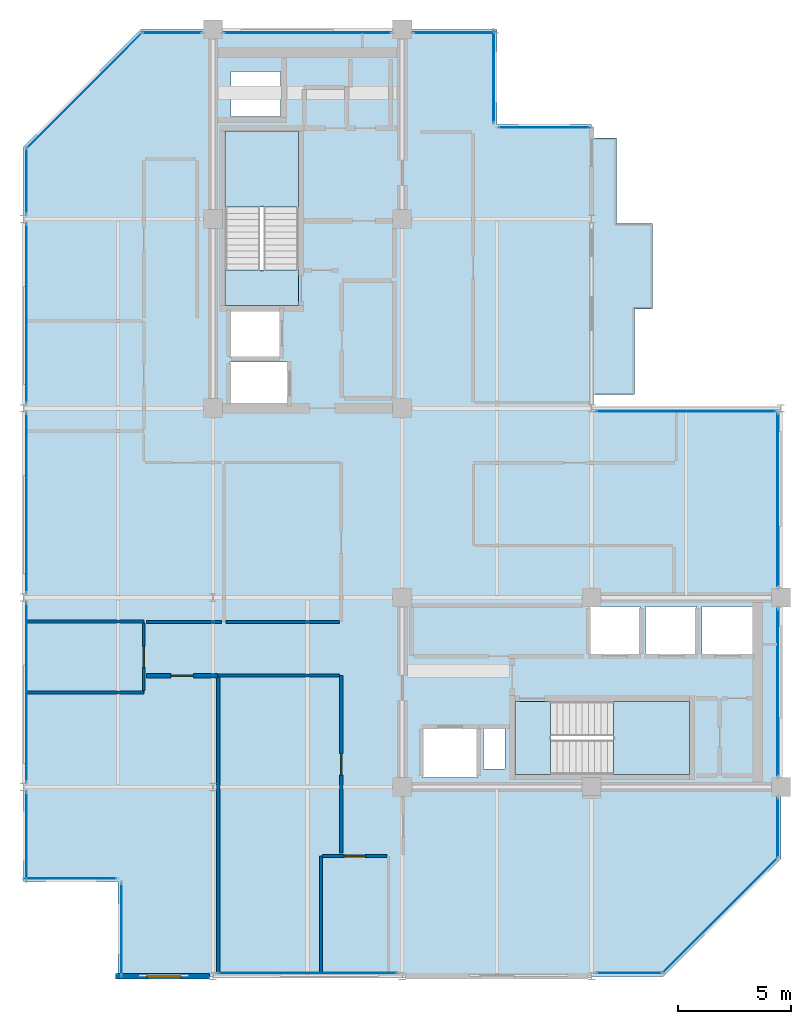
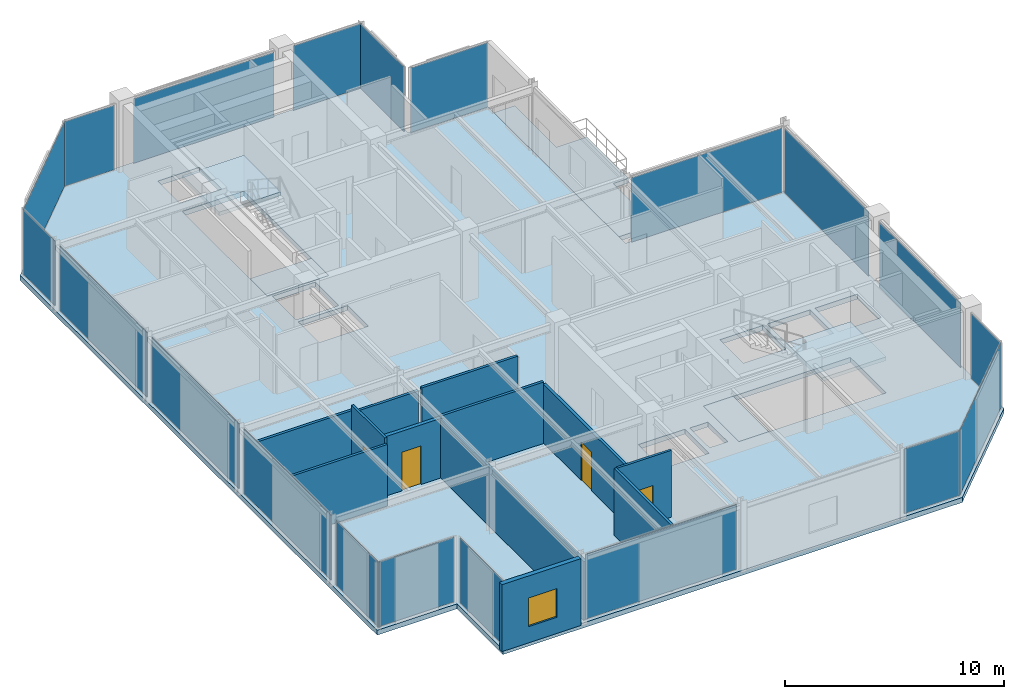
# One storey, part 19 of 24: 20 plates, 12 walls, 6 slabs, 4 doors, 1 window, 5 openings, 22 elements without a shape of their own.
"""IFC4 building model written with IfcOpenShell, lengths in metres."""

from ifc_helpers import new_model, si_unit, direction, frame, frame_2d, origin, origin_2d, place, context, subcontext, project, spatial, polyline, rectangle, outline, extrude, material, layer, layer_set, type_object, element, fill, aggregate, save


model = new_model("IFC4")

# Units and contexts
model_context = context("Model", 3, precision=1e-05, world=origin(), true_north=direction((0.0, 1.0)))
body_context = subcontext(model_context, "Body", "Model", "MODEL_VIEW")
ifc_project = project(units=[si_unit("LENGTHUNIT", "METRE"), si_unit("AREAUNIT", "SQUARE_METRE"), si_unit("VOLUMEUNIT", "CUBIC_METRE"), si_unit("PLANEANGLEUNIT", "RADIAN"), si_unit("MASSUNIT", "GRAM", prefix="KILO")], contexts=[model_context])

# Site, building, storey
site_placement = place(None, origin())
site = spatial("IfcSite", under=ifc_project, at=site_placement, CompositionType="ELEMENT")
building_placement = place(site_placement, origin())
building = spatial("IfcBuilding", under=site, at=building_placement, Name="Nerrivon Quay Data Exchange", CompositionType="ELEMENT")
storey_placement = place(building_placement, frame((0.0, 0.0, 306.199951171875)))
storey = spatial("IfcBuildingStorey", under=building, at=storey_placement, Name="L73", CompositionType="ELEMENT", Elevation=306.199951171875)

# Curtain wall, plate
ifc_material_1 = material(Name="Anodised aluminium 6063-T6", Category="aluminium")
ifc_layer_1 = layer(ifc_material_1, 0.195068359375)
ifc_layer_set_1 = layer_set([ifc_layer_1], Name="Anodised aluminium 6063-T6")
curtain_wall_type = type_object("IfcCurtainWallType", Name="CW-SYS-06", PredefinedType="NOTDEFINED", material=ifc_layer_set_1)
curtain_wall_1_placement = place(storey_placement, origin())
curtain_wall_1 = element("IfcCurtainWall", 1, at=curtain_wall_1_placement, inside=storey, type_object=curtain_wall_type, Name="L73 Unitised Curtain Wall 1", PredefinedType="NOTDEFINED")
ifc_material_2 = material(Name="Double-glazed low-E solar control glass", Category="glass")
ifc_layer_2 = layer(ifc_material_2, 0.028076171875)
ifc_layer_set_2 = layer_set([ifc_layer_2], Name="Double-glazed low-E solar control glass")
plate_type = type_object("IfcPlateType", Name="CWP-GLZ-28", PredefinedType="CURTAIN_PANEL", material=ifc_layer_set_2)
plate_1_placement = place(storey_placement, frame((30.90087890625, 2.698974609375, 0.06494140625), z_axis=(0.0, 0.0, 1.0), x_axis=(-0.707106781187, -0.707106781187, 0.0)))
plate_1 = element("IfcPlate", 2, at=plate_1_placement, type_object=plate_type, Name="CW06 panel 1.1", PredefinedType="CURTAIN_PANEL", context=body_context, shape_type="SweptSolid", body=[
    extrude(rectangle(XDim=7.203857421875, YDim=0.028076171875, at=origin_2d()), origin(), (0.0, 0.0, 1.0), 3.594970703125),
])
aggregate(curtain_wall_1, [plate_1])

curtain_wall_2_placement = place(storey_placement, origin())
curtain_wall_2 = element("IfcCurtainWall", 3, at=curtain_wall_2_placement, inside=storey, type_object=curtain_wall_type, Name="L73 Unitised Curtain Wall 2", PredefinedType="NOTDEFINED")
plate_2_placement = place(storey_placement, frame((26.877685546875, 0.139892578125, 0.06494140625), z_axis=(0.0, 0.0, 1.0), x_axis=(-1.0, 0.0, 0.0)))
plate_2 = element("IfcPlate", 4, at=plate_2_placement, type_object=plate_type, Name="CW06 panel 1.1", PredefinedType="CURTAIN_PANEL", context=body_context, shape_type="SweptSolid", body=[
    extrude(rectangle(XDim=2.89453125, YDim=0.028076171875, at=origin_2d()), origin(), (0.0, 0.0, 1.0), 3.594970703125),
])
aggregate(curtain_wall_2, [plate_2])

curtain_wall_3_placement = place(storey_placement, origin())
curtain_wall_3 = element("IfcCurtainWall", 5, at=curtain_wall_3_placement, inside=storey, type_object=curtain_wall_type, Name="L73 Unitised Curtain Wall 4", PredefinedType="NOTDEFINED")
plate_3_placement = place(storey_placement, frame((12.60009765625, 0.139892578125, 0.06494140625), z_axis=(0.0, 0.0, 1.0), x_axis=(-1.0, 0.0, 0.0)))
plate_3 = element("IfcPlate", 6, at=plate_3_placement, type_object=plate_type, Name="CW06 panel 1.1", PredefinedType="CURTAIN_PANEL", context=body_context, shape_type="SweptSolid", body=[
    extrude(rectangle(XDim=7.93896484375, YDim=0.028076171875, at=origin_2d()), origin(), (0.0, 0.0, 1.0), 3.594970703125),
])
aggregate(curtain_wall_3, [plate_3])

curtain_wall_4_placement = place(storey_placement, origin())
curtain_wall_4 = element("IfcCurtainWall", 7, at=curtain_wall_4_placement, inside=storey, type_object=curtain_wall_type, Name="L73 Unitised Curtain Wall 6", PredefinedType="NOTDEFINED")
plate_4_placement = place(storey_placement, frame((4.340087890625, 2.10009765625, 0.06494140625), z_axis=(0.0, 0.0, 1.0), x_axis=(0.0, 1.0, 0.0)))
plate_4 = element("IfcPlate", 8, at=plate_4_placement, type_object=plate_type, Name="CW06 panel 1.1", PredefinedType="CURTAIN_PANEL", context=body_context, shape_type="SweptSolid", body=[
    extrude(rectangle(XDim=4.050048828125, YDim=0.028076171875, at=origin_2d()), origin(), (0.0, 0.0, 1.0), 3.594970703125),
])
aggregate(curtain_wall_4, [plate_4])

curtain_wall_5_placement = place(storey_placement, origin())
curtain_wall_5 = element("IfcCurtainWall", 9, at=curtain_wall_5_placement, inside=storey, type_object=curtain_wall_type, Name="L73 Unitised Curtain Wall 7", PredefinedType="NOTDEFINED")
plate_5_placement = place(storey_placement, frame((2.10009765625, 4.340087890625, 0.06494140625), z_axis=(0.0, 0.0, 1.0), x_axis=(-1.0, 0.0, 0.0)))
plate_5 = element("IfcPlate", 10, at=plate_5_placement, type_object=plate_type, Name="CW06 panel 1.1", PredefinedType="CURTAIN_PANEL", context=body_context, shape_type="SweptSolid", body=[
    extrude(rectangle(XDim=4.050048828125, YDim=0.028076171875, at=origin_2d()), origin(), (0.0, 0.0, 1.0), 3.594970703125),
])
aggregate(curtain_wall_5, [plate_5])

curtain_wall_6_placement = place(storey_placement, origin())
curtain_wall_6 = element("IfcCurtainWall", 11, at=curtain_wall_6_placement, inside=storey, type_object=curtain_wall_type, Name="L73 Unitised Curtain Wall 8", PredefinedType="NOTDEFINED")
plate_6_placement = place(storey_placement, frame((0.139892578125, 6.21826171875, 0.06494140625), z_axis=(0.0, 0.0, 1.0), x_axis=(0.0, 1.0, 0.0)))
plate_6 = element("IfcPlate", 12, at=plate_6_placement, type_object=plate_type, Name="CW06 panel 1.1", PredefinedType="CURTAIN_PANEL", context=body_context, shape_type="SweptSolid", body=[
    extrude(rectangle(XDim=3.886474609375, YDim=0.028076171875, at=origin_2d()), origin(), (0.0, 0.0, 1.0), 3.594970703125),
])
aggregate(curtain_wall_6, [plate_6])

curtain_wall_7_placement = place(storey_placement, origin())
curtain_wall_7 = element("IfcCurtainWall", 13, at=curtain_wall_7_placement, inside=storey, type_object=curtain_wall_type, Name="L73 Unitised Curtain Wall 9", PredefinedType="NOTDEFINED")
plate_7_placement = place(storey_placement, frame((0.139892578125, 12.60009765625, 0.06494140625), z_axis=(0.0, 0.0, 1.0), x_axis=(0.0, 1.0, 0.0)))
plate_7 = element("IfcPlate", 14, at=plate_7_placement, type_object=plate_type, Name="CW06 panel 1.1", PredefinedType="CURTAIN_PANEL", context=body_context, shape_type="SweptSolid", body=[
    extrude(rectangle(XDim=7.923095703125, YDim=0.028076171875, at=origin_2d()), origin(), (0.0, 0.0, 1.0), 3.594970703125),
])
aggregate(curtain_wall_7, [plate_7])

curtain_wall_8_placement = place(storey_placement, origin())
curtain_wall_8 = element("IfcCurtainWall", 15, at=curtain_wall_8_placement, inside=storey, type_object=curtain_wall_type, Name="L73 Unitised Curtain Wall 10", PredefinedType="NOTDEFINED")
plate_8_placement = place(storey_placement, frame((0.139892578125, 21.0, 0.06494140625), z_axis=(0.0, 0.0, 1.0), x_axis=(0.0, 1.0, 0.0)))
plate_8 = element("IfcPlate", 16, at=plate_8_placement, type_object=plate_type, Name="CW06 panel 1.1", PredefinedType="CURTAIN_PANEL", context=body_context, shape_type="SweptSolid", body=[
    extrude(rectangle(XDim=7.923095703125, YDim=0.028076171875, at=origin_2d()), origin(), (0.0, 0.0, 1.0), 3.594970703125),
])
aggregate(curtain_wall_8, [plate_8])

curtain_wall_9_placement = place(storey_placement, origin())
curtain_wall_9 = element("IfcCurtainWall", 17, at=curtain_wall_9_placement, inside=storey, type_object=curtain_wall_type, Name="L73 Unitised Curtain Wall 11", PredefinedType="NOTDEFINED")
plate_9_placement = place(storey_placement, frame((0.139892578125, 29.39990234375, 0.06494140625), z_axis=(0.0, 0.0, 1.0), x_axis=(0.0, 1.0, 0.0)))
plate_9 = element("IfcPlate", 18, at=plate_9_placement, type_object=plate_type, Name="CW06 panel 1.1", PredefinedType="CURTAIN_PANEL", context=body_context, shape_type="SweptSolid", body=[
    extrude(rectangle(XDim=7.923095703125, YDim=0.028076171875, at=origin_2d()), origin(), (0.0, 0.0, 1.0), 3.594970703125),
])
aggregate(curtain_wall_9, [plate_9])

curtain_wall_10_placement = place(storey_placement, origin())
curtain_wall_10 = element("IfcCurtainWall", 19, at=curtain_wall_10_placement, inside=storey, type_object=curtain_wall_type, Name="L73 Unitised Curtain Wall 12", PredefinedType="NOTDEFINED")
plate_10_placement = place(storey_placement, frame((0.139892578125, 35.28173828125, 0.06494140625), z_axis=(0.0, 0.0, 1.0), x_axis=(0.0, 1.0, 0.0)))
plate_10 = element("IfcPlate", 20, at=plate_10_placement, type_object=plate_type, Name="CW06 panel 1.1", PredefinedType="CURTAIN_PANEL", context=body_context, shape_type="SweptSolid", body=[
    extrude(rectangle(XDim=2.886474609375, YDim=0.028076171875, at=origin_2d()), origin(), (0.0, 0.0, 1.0), 3.594970703125),
])
aggregate(curtain_wall_10, [plate_10])

curtain_wall_11_placement = place(storey_placement, origin())
curtain_wall_11 = element("IfcCurtainWall", 21, at=curtain_wall_11_placement, inside=storey, type_object=curtain_wall_type, Name="L73 Unitised Curtain Wall 13", PredefinedType="NOTDEFINED")
plate_11_placement = place(storey_placement, frame((2.698974609375, 39.301025390625, 0.06494140625), z_axis=(0.0, 0.0, 1.0), x_axis=(0.707106781187, 0.707106781187, 0.0)))
plate_11 = element("IfcPlate", 22, at=plate_11_placement, type_object=plate_type, Name="CW06 panel 1.1", PredefinedType="CURTAIN_PANEL", context=body_context, shape_type="SweptSolid", body=[
    extrude(rectangle(XDim=7.203857421875, YDim=0.028076171875, at=origin_2d()), origin(), (0.0, 0.0, 1.0), 3.594970703125),
])
aggregate(curtain_wall_11, [plate_11])

curtain_wall_12_placement = place(storey_placement, origin())
curtain_wall_12 = element("IfcCurtainWall", 23, at=curtain_wall_12_placement, inside=storey, type_object=curtain_wall_type, Name="L73 Unitised Curtain Wall 14", PredefinedType="NOTDEFINED")
plate_12_placement = place(storey_placement, frame((6.58740234375, 41.860107421875, 0.06494140625), z_axis=(0.0, 0.0, 1.0), x_axis=(1.0, 0.0, 0.0)))
plate_12 = element("IfcPlate", 24, at=plate_12_placement, type_object=plate_type, Name="CW06 panel 1.1", PredefinedType="CURTAIN_PANEL", context=body_context, shape_type="SweptSolid", body=[
    extrude(rectangle(XDim=2.625, YDim=0.028076171875, at=origin_2d()), origin(), (0.0, 0.0, 1.0), 3.594970703125),
])
aggregate(curtain_wall_12, [plate_12])

curtain_wall_13_placement = place(storey_placement, origin())
curtain_wall_13 = element("IfcCurtainWall", 25, at=curtain_wall_13_placement, inside=storey, type_object=curtain_wall_type, Name="L73 Unitised Curtain Wall 15", PredefinedType="NOTDEFINED")
plate_13_placement = place(storey_placement, frame((12.60009765625, 41.860107421875, 0.06494140625), z_axis=(0.0, 0.0, 1.0), x_axis=(1.0, 0.0, 0.0)))
plate_13 = element("IfcPlate", 26, at=plate_13_placement, type_object=plate_type, Name="CW06 panel 1.1", PredefinedType="CURTAIN_PANEL", context=body_context, shape_type="SweptSolid", body=[
    extrude(rectangle(XDim=7.39990234375, YDim=0.028076171875, at=origin_2d()), origin(), (0.0, 0.0, 1.0), 3.594970703125),
])
aggregate(curtain_wall_13, [plate_13])

curtain_wall_14_placement = place(storey_placement, origin())
curtain_wall_14 = element("IfcCurtainWall", 27, at=curtain_wall_14_placement, inside=storey, type_object=curtain_wall_type, Name="L73 Unitised Curtain Wall 16", PredefinedType="NOTDEFINED")
plate_14_placement = place(storey_placement, frame((19.112548828125, 41.860107421875, 0.06494140625), z_axis=(0.0, 0.0, 1.0), x_axis=(1.0, 0.0, 0.0)))
plate_14 = element("IfcPlate", 28, at=plate_14_placement, type_object=plate_type, Name="CW06 panel 1.1", PredefinedType="CURTAIN_PANEL", context=body_context, shape_type="SweptSolid", body=[
    extrude(rectangle(XDim=3.625, YDim=0.028076171875, at=origin_2d()), origin(), (0.0, 0.0, 1.0), 3.594970703125),
])
aggregate(curtain_wall_14, [plate_14])

curtain_wall_15_placement = place(storey_placement, origin())
curtain_wall_15 = element("IfcCurtainWall", 29, at=curtain_wall_15_placement, inside=storey, type_object=curtain_wall_type, Name="L73 Unitised Curtain Wall 17", PredefinedType="NOTDEFINED")
plate_15_placement = place(storey_placement, frame((20.860107421875, 39.89990234375, 0.06494140625), z_axis=(0.0, 0.0, 1.0), x_axis=(0.0, -1.0, 0.0)))
plate_15 = element("IfcPlate", 30, at=plate_15_placement, type_object=plate_type, Name="CW06 panel 1.1", PredefinedType="CURTAIN_PANEL", context=body_context, shape_type="SweptSolid", body=[
    extrude(rectangle(XDim=4.050048828125, YDim=0.028076171875, at=origin_2d()), origin(), (0.0, 0.0, 1.0), 3.594970703125),
])
aggregate(curtain_wall_15, [plate_15])

curtain_wall_16_placement = place(storey_placement, origin())
curtain_wall_16 = element("IfcCurtainWall", 31, at=curtain_wall_16_placement, inside=storey, type_object=curtain_wall_type, Name="L73 Unitised Curtain Wall 18", PredefinedType="NOTDEFINED")
plate_16_placement = place(storey_placement, frame((23.10009765625, 37.659912109375, 0.06494140625), z_axis=(0.0, 0.0, 1.0), x_axis=(1.0, 0.0, 0.0)))
plate_16 = element("IfcPlate", 32, at=plate_16_placement, type_object=plate_type, Name="CW06 panel 1.1", PredefinedType="CURTAIN_PANEL", context=body_context, shape_type="SweptSolid", body=[
    extrude(rectangle(XDim=4.050048828125, YDim=0.028076171875, at=origin_2d()), origin(), (0.0, 0.0, 1.0), 3.594970703125),
])
aggregate(curtain_wall_16, [plate_16])

curtain_wall_17_placement = place(storey_placement, origin())
curtain_wall_17 = element("IfcCurtainWall", 33, at=curtain_wall_17_placement, inside=storey, type_object=curtain_wall_type, Name="L73 Unitised Curtain Wall 21", PredefinedType="NOTDEFINED")
plate_17_placement = place(storey_placement, frame((29.39990234375, 25.06005859375, 0.06494140625), z_axis=(0.0, 0.0, 1.0), x_axis=(1.0, 0.0, 0.0)))
plate_17 = element("IfcPlate", 34, at=plate_17_placement, type_object=plate_type, Name="CW06 panel 1.1", PredefinedType="CURTAIN_PANEL", context=body_context, shape_type="SweptSolid", body=[
    extrude(rectangle(XDim=7.93896484375, YDim=0.028076171875, at=origin_2d()), origin(), (0.0, 0.0, 1.0), 3.594970703125),
])
aggregate(curtain_wall_17, [plate_17])

curtain_wall_18_placement = place(storey_placement, origin())
curtain_wall_18 = element("IfcCurtainWall", 35, at=curtain_wall_18_placement, inside=storey, type_object=curtain_wall_type, Name="L73 Unitised Curtain Wall 22", PredefinedType="NOTDEFINED")
plate_18_placement = place(storey_placement, frame((33.4599609375, 21.130859375, 0.06494140625), z_axis=(0.0, 0.0, 1.0), x_axis=(0.0, -1.0, 0.0)))
plate_18 = element("IfcPlate", 36, at=plate_18_placement, type_object=plate_type, Name="CW06 panel 1.1", PredefinedType="CURTAIN_PANEL", context=body_context, shape_type="SweptSolid", body=[
    extrude(rectangle(XDim=7.66162109375, YDim=0.028076171875, at=origin_2d()), origin(), (0.0, 0.0, 1.0), 3.594970703125),
])
aggregate(curtain_wall_18, [plate_18])

curtain_wall_19_placement = place(storey_placement, origin())
curtain_wall_19 = element("IfcCurtainWall", 37, at=curtain_wall_19_placement, inside=storey, type_object=curtain_wall_type, Name="L73 Unitised Curtain Wall 23", PredefinedType="NOTDEFINED")
plate_19_placement = place(storey_placement, frame((33.4599609375, 12.60009765625, 0.06494140625), z_axis=(0.0, 0.0, 1.0), x_axis=(0.0, -1.0, 0.0)))
plate_19 = element("IfcPlate", 38, at=plate_19_placement, type_object=plate_type, Name="CW06 panel 1.1", PredefinedType="CURTAIN_PANEL", context=body_context, shape_type="SweptSolid", body=[
    extrude(rectangle(XDim=7.39990234375, YDim=0.028076171875, at=origin_2d()), origin(), (0.0, 0.0, 1.0), 3.594970703125),
])
aggregate(curtain_wall_19, [plate_19])

curtain_wall_20_placement = place(storey_placement, origin())
curtain_wall_20 = element("IfcCurtainWall", 39, at=curtain_wall_20_placement, inside=storey, type_object=curtain_wall_type, Name="L73 Unitised Curtain Wall 24", PredefinedType="NOTDEFINED")
plate_20_placement = place(storey_placement, frame((33.4599609375, 6.58740234375, 0.06494140625), z_axis=(0.0, 0.0, 1.0), x_axis=(0.0, -1.0, 0.0)))
plate_20 = element("IfcPlate", 40, at=plate_20_placement, type_object=plate_type, Name="CW06 panel 1.1", PredefinedType="CURTAIN_PANEL", context=body_context, shape_type="SweptSolid", body=[
    extrude(rectangle(XDim=2.625, YDim=0.028076171875, at=origin_2d()), origin(), (0.0, 0.0, 1.0), 3.594970703125),
])
aggregate(curtain_wall_20, [plate_20])

# Slab
ifc_material_3 = material(Name="Precast white architectural concrete N50 (50 MPa)", Category="concrete")
ifc_layer_3 = layer(ifc_material_3, 0.25)
ifc_layer_set_3 = layer_set([ifc_layer_3], Name="Precast white architectural concrete N50 (50 MPa)")
slab_type_1 = type_object("IfcSlabType", Name="SLB-BAL-250", PredefinedType="FLOOR", material=ifc_layer_set_3)
slab_1_placement = place(storey_placement, frame((0.0, 0.0, -0.25)))
element("IfcSlab", 41, at=slab_1_placement, inside=storey, type_object=slab_type_1, Name="L73 Waterfront Subtropical Verandah", PredefinedType="FLOOR", context=body_context, shape_type="SweptSolid", body=[
    extrude(outline(polyline([(27.10009765625, 29.60009765625), (27.89990234375, 29.60009765625), (27.89990234375, 33.39990234375), (26.300048828125, 33.39990234375), (26.300048828125, 37.199951171875), (25.199951171875, 37.199951171875), (25.199951171875, 33.39990234375), (25.199951171875, 29.60009765625), (25.199951171875, 25.800048828125), (27.10009765625, 25.800048828125), (27.10009765625, 29.60009765625)])), origin(), (0.0, 0.0, 1.0), 0.25),
])

# Stair, slab
ifc_material_4 = material(Name="Concrete N50 (50 MPa)", Category="concrete")
stair_type = type_object("IfcStairType", Name="STAIR-DOG-40", PredefinedType="HALF_TURN_STAIR", material=ifc_material_4)
stair_1_placement = place(storey_placement, origin())
stair_1 = element("IfcStair", 42, at=stair_1_placement, inside=storey, type_object=stair_type, Name="L73 West Core Fire Stair ST01", PredefinedType="HALF_TURN_STAIR")
ifc_layer_4 = layer(ifc_material_4, 0.199951171875)
ifc_layer_set_4 = layer_set([ifc_layer_4], Name="Concrete N50 (50 MPa)")
slab_type_2 = type_object("IfcSlabType", Name="SLB-LAND-200", PredefinedType="LANDING", material=ifc_layer_set_4)
slab_2_placement = place(storey_placement, frame((0.0, 0.0, 1.800048828125)))
slab_2 = element("IfcSlab", 43, at=slab_2_placement, type_object=slab_type_2, Name="ST01 landing 1", PredefinedType="LANDING", context=body_context, shape_type="SweptSolid", body=[
    extrude(outline(polyline([(12.199951171875, 34.1298828125), (12.199951171875, 37.5), (8.949951171875, 37.5), (8.949951171875, 34.1298828125), (12.199951171875, 34.1298828125)])), origin(), (0.0, 0.0, 1.0), 0.199951171875),
])
aggregate(stair_1, [slab_2])

# Slab
slab_3_placement = place(storey_placement, frame((0.0, 0.0, -0.199951171875)))
element("IfcSlab", 44, at=slab_3_placement, inside=storey, type_object=slab_type_2, Name="L73 ST01 floor landing", PredefinedType="LANDING", context=body_context, shape_type="SweptSolid", body=[
    extrude(outline(polyline([(12.199951171875, 29.75), (12.199951171875, 31.330078125), (8.949951171875, 31.330078125), (8.949951171875, 29.75), (12.199951171875, 29.75)])), origin(), (0.0, 0.0, 1.0), 0.199951171875),
])

# Stair, slab
stair_2_placement = place(storey_placement, origin())
stair_2 = element("IfcStair", 45, at=stair_2_placement, inside=storey, type_object=stair_type, Name="L73 East Core Fire Stair ST02", PredefinedType="HALF_TURN_STAIR")
slab_4_placement = place(storey_placement, frame((0.0, 0.0, 1.800048828125)))
slab_4 = element("IfcSlab", 46, at=slab_4_placement, type_object=slab_type_2, Name="ST02 landing 1", PredefinedType="LANDING", context=body_context, shape_type="SweptSolid", body=[
    extrude(outline(polyline([(26.179931640625, 8.949951171875), (29.550048828125, 8.949951171875), (29.550048828125, 12.199951171875), (26.179931640625, 12.199951171875), (26.179931640625, 8.949951171875)])), origin(), (0.0, 0.0, 1.0), 0.199951171875),
])
aggregate(stair_2, [slab_4])

# Slabs
slab_5_placement = place(storey_placement, frame((0.0, 0.0, -0.199951171875)))
element("IfcSlab", 47, at=slab_5_placement, inside=storey, type_object=slab_type_2, Name="L73 ST02 floor landing", PredefinedType="LANDING", context=body_context, shape_type="SweptSolid", body=[
    extrude(outline(polyline([(21.800048828125, 8.949951171875), (23.3798828125, 8.949951171875), (23.3798828125, 12.199951171875), (21.800048828125, 12.199951171875), (21.800048828125, 8.949951171875)])), origin(), (0.0, 0.0, 1.0), 0.199951171875),
])
ifc_layer_5 = layer(ifc_material_4, 0.27490234375)
ifc_layer_set_5 = layer_set([ifc_layer_5], Name="Concrete N50 (50 MPa)")
slab_type_3 = type_object("IfcSlabType", Name="SLB-TOW-275", PredefinedType="FLOOR", material=ifc_layer_set_5)
slab_6_placement = place(storey_placement, frame((0.0, 0.0, -0.27490234375)))
element("IfcSlab", 48, at=slab_6_placement, inside=storey, type_object=slab_type_3, Name="L73 Primary Structural Slab", PredefinedType="FLOOR", context=body_context, shape_type="SweptSolid", body=[
    extrude(outline(polyline([(33.60009765625, 25.199951171875), (25.199951171875, 25.199951171875), (25.199951171875, 37.800048828125), (21.0, 37.800048828125), (21.0, 42.0), (5.199951171875, 42.0), (0.0, 36.800048828125), (0.0, 4.199951171875), (4.199951171875, 4.199951171875), (4.199951171875, 0.0), (28.39990234375, 0.0), (33.60009765625, 5.199951171875), (33.60009765625, 25.199951171875)]), holes=[polyline([(8.949951171875, 29.75), (8.949951171875, 37.5), (12.199951171875, 37.5), (12.199951171875, 29.75), (8.949951171875, 29.75)]), polyline([(21.800048828125, 12.199951171875), (29.550048828125, 12.199951171875), (29.550048828125, 8.949951171875), (21.800048828125, 8.949951171875), (21.800048828125, 12.199951171875)]), polyline([(30.10009765625, 14.25), (30.10009765625, 16.39990234375), (32.35009765625, 16.39990234375), (32.35009765625, 14.25), (30.10009765625, 14.25)]), polyline([(27.60009765625, 14.25), (27.60009765625, 16.39990234375), (29.85009765625, 16.39990234375), (29.85009765625, 14.25), (27.60009765625, 14.25)]), polyline([(25.10009765625, 14.25), (25.10009765625, 16.39990234375), (27.35009765625, 16.39990234375), (27.35009765625, 14.25), (25.10009765625, 14.25)]), polyline([(20.39990234375, 9.199951171875), (20.39990234375, 11.0), (21.35009765625, 11.0), (21.35009765625, 9.199951171875), (20.39990234375, 9.199951171875)]), polyline([(17.699951171875, 8.830078125), (17.699951171875, 11.030029296875), (20.14990234375, 11.030029296875), (20.14990234375, 8.830078125), (17.699951171875, 8.830078125)]), polyline([(9.14990234375, 25.35009765625), (9.14990234375, 27.25), (11.75, 27.25), (11.75, 25.35009765625), (9.14990234375, 25.35009765625)]), polyline([(9.14990234375, 27.449951171875), (9.14990234375, 29.60009765625), (11.39990234375, 29.60009765625), (11.39990234375, 27.449951171875), (9.14990234375, 27.449951171875)]), polyline([(9.199951171875, 38.14990234375), (9.199951171875, 40.14990234375), (11.39990234375, 40.14990234375), (11.39990234375, 38.14990234375), (9.199951171875, 38.14990234375)])]), origin(), (0.0, 0.0, 1.0), 0.27490234375),
])

# Wall, opening, window
ifc_material_5 = material(Name="Architectural terracotta precast concrete N50 (50 MPa)", Category="masonry")
ifc_layer_6 = layer(ifc_material_5, 0.239990234375)
ifc_layer_set_6 = layer_set([ifc_layer_6], Name="Architectural terracotta precast concrete N50 (50 MPa)")
wall_type_1 = type_object("IfcWallType", Name="EW-PREC-240", PredefinedType="STANDARD", material=ifc_layer_set_6)
wall_1_placement = place(storey_placement, frame((8.244384765625, 0.0, 0.0), z_axis=(0.0, 0.0, 1.0), x_axis=(-1.0, 0.0, 0.0)))
wall_1 = element("IfcWall", 49, at=wall_1_placement, inside=storey, type_object=wall_type_1, Name="L73 Podium Precast Spandrel Wall 5", PredefinedType="STANDARD", context=body_context, shape_type="SweptSolid", body=[
    extrude(rectangle(XDim=4.164306640625, YDim=0.239990234375, at=frame_2d((2.08203125, 0.0))), origin(), (0.0, 0.0, 1.0), 3.72509765625),
])
opening_1_placement = place(wall_1_placement, frame((1.267333984375, 0.0, 0.89990234375)))
opening_1 = element("IfcOpeningElement", 50, at=opening_1_placement, cuts=wall_1, Name="Opening WN4", PredefinedType="OPENING", context=body_context, shape_type="SweptSolid", body=[
    extrude(rectangle(XDim=1.5, YDim=1.60009765625, at=frame_2d((0.75, 0.800048828125))), frame((0.0, 0.1298828125, 0.0), z_axis=(0.0, -1.0, 0.0), x_axis=(1.0, 0.0, 0.0)), (0.0, 0.0, 1.0), 0.260009765625),
])
window_type = type_object("IfcWindowType", Name="WIN-W4-1500x1600", PartitioningType="SINGLE_PANEL", PredefinedType="WINDOW", material=ifc_material_2)
window_placement = place(opening_1_placement, origin())
window = element("IfcWindow", 51, at=window_placement, inside=storey, type_object=window_type, Name="L73 Solar Facade Window 5", OverallHeight=1.60009765625, OverallWidth=1.5, PartitioningType="SINGLE_PANEL", PredefinedType="WINDOW", context=body_context, shape_type="SweptSolid", body=[
    extrude(rectangle(XDim=1.5, YDim=1.60009765625, at=frame_2d((0.75, 0.800048828125))), frame((0.0, 0.030029296875, 0.0), z_axis=(0.0, -1.0, 0.0), x_axis=(1.0, 0.0, 0.0)), (0.0, 0.0, 1.0), 0.06005859375),
])
fill(opening_1, window)

# Wall, opening, door
ifc_material_6 = material(Name="Gypsum plasterboard on cold-formed framing", Category="gypsum")
ifc_layer_7 = layer(ifc_material_6, 0.199951171875)
ifc_layer_set_7 = layer_set([ifc_layer_7], Name="Gypsum plasterboard on cold-formed framing")
wall_type_2 = type_object("IfcWallType", Name="WALL-FW-200", PredefinedType="PARTITIONING", material=ifc_layer_set_7)
wall_2_placement = place(storey_placement, frame((8.614013671875, 13.340087890625, 0.0), z_axis=(0.0, 0.0, 1.0), x_axis=(-1.0, 0.0, 0.0)))
wall_2 = element("IfcWall", 52, at=wall_2_placement, inside=storey, type_object=wall_type_2, Name="L73 Partition Colocation Data Workspace 1", PredefinedType="PARTITIONING", context=body_context, shape_type="SweptSolid", body=[
    extrude(rectangle(XDim=3.154052734375, YDim=0.199951171875, at=frame_2d((1.5771484375, 0.0))), origin(), (0.0, 0.0, 1.0), 3.319091796875),
])
opening_2_placement = place(wall_2_placement, frame((1.076904296875, 0.0, 0.0)))
opening_2 = element("IfcOpeningElement", 53, at=opening_2_placement, cuts=wall_2, Name="Opening FD-60", PredefinedType="OPENING", context=body_context, shape_type="SweptSolid", body=[
    extrude(rectangle(XDim=1.0, YDim=2.14990234375, at=frame_2d((0.5, 1.074951171875))), frame((0.0, 0.10986328125, 0.0), z_axis=(0.0, -1.0, 0.0), x_axis=(1.0, 0.0, 0.0)), (0.0, 0.0, 1.0), 0.219970703125),
])
ifc_material_7 = material(Name="Engineered hardwood timber", Category="wood")
door_type_1 = type_object("IfcDoorType", Name="DR-FD60-1000", OperationType="NOTDEFINED", PredefinedType="DOOR", material=ifc_material_7)
door_1_placement = place(opening_2_placement, origin())
door_1 = element("IfcDoor", 54, at=door_1_placement, inside=storey, type_object=door_type_1, Name="L73 Door Colocation Data Workspace 1", OperationType="SINGLE_SWING_RIGHT", OverallHeight=2.14990234375, OverallWidth=1.0, PredefinedType="DOOR", context=body_context, shape_type="SweptSolid", body=[
    extrude(rectangle(XDim=1.0, YDim=2.14990234375, at=frame_2d((0.5, 1.074951171875))), frame((0.0, 0.02490234375, 0.0), z_axis=(0.0, -1.0, 0.0), x_axis=(1.0, 0.0, 0.0)), (0.0, 0.0, 1.0), 0.050048828125),
])
fill(opening_2, door_1)

ifc_layer_8 = layer(ifc_material_6, 0.1201171875)
ifc_layer_set_8 = layer_set([ifc_layer_8], Name="Gypsum plasterboard on cold-formed framing")
wall_type_3 = type_object("IfcWallType", Name="WALL-PT-120", PredefinedType="PARTITIONING", material=ifc_layer_set_8)
wall_3_placement = place(storey_placement, frame((5.340087890625, 12.67138671875, 0.0), z_axis=(0.0, 0.0, 1.0), x_axis=(0.0, 1.0, 0.0)))
wall_3 = element("IfcWall", 55, at=wall_3_placement, inside=storey, type_object=wall_type_3, Name="L73 Partition Accessible Toilet", PredefinedType="PARTITIONING", context=body_context, shape_type="SweptSolid", body=[
    extrude(rectangle(XDim=3.007080078125, YDim=0.1201171875, at=frame_2d((1.50341796875, 0.0))), origin(), (0.0, 0.0, 1.0), 3.72509765625),
])
opening_3_placement = place(wall_3_placement, frame((1.04345703125, 0.0, 0.0)))
opening_3 = element("IfcOpeningElement", 56, at=opening_3_placement, cuts=wall_3, Name="Opening D-WC", PredefinedType="OPENING", context=body_context, shape_type="SweptSolid", body=[
    extrude(rectangle(XDim=0.919921875, YDim=2.10009765625, at=frame_2d((0.4599609375, 1.050048828125))), frame((0.0, 0.070068359375, 0.0), z_axis=(0.0, -1.0, 0.0), x_axis=(1.0, 0.0, 0.0)), (0.0, 0.0, 1.0), 0.14013671875),
])
door_type_2 = type_object("IfcDoorType", Name="DR-WC-920", OperationType="NOTDEFINED", PredefinedType="DOOR", material=ifc_material_7)
door_2_placement = place(opening_3_placement, origin())
door_2 = element("IfcDoor", 57, at=door_2_placement, inside=storey, type_object=door_type_2, Name="L73 Door Accessible Toilet", OperationType="SINGLE_SWING_LEFT", OverallHeight=2.10009765625, OverallWidth=0.919921875, PredefinedType="DOOR", context=body_context, shape_type="SweptSolid", body=[
    extrude(rectangle(XDim=0.919921875, YDim=2.10009765625, at=frame_2d((0.4599609375, 1.050048828125))), frame((0.0, 0.02490234375, 0.0), z_axis=(0.0, -1.0, 0.0), x_axis=(1.0, 0.0, 0.0)), (0.0, 0.0, 1.0), 0.050048828125),
])
fill(opening_3, door_2)

wall_4_placement = place(storey_placement, frame((16.12841796875, 5.340087890625, 0.0), z_axis=(0.0, 0.0, 1.0), x_axis=(-1.0, 0.0, 0.0)))
wall_4 = element("IfcWall", 58, at=wall_4_placement, inside=storey, type_object=wall_type_3, Name="L73 Partition Public Washrooms", PredefinedType="PARTITIONING", context=body_context, shape_type="SweptSolid", body=[
    extrude(rectangle(XDim=2.85693359375, YDim=0.1201171875, at=frame_2d((1.428466796875, 0.0))), origin(), (0.0, 0.0, 1.0), 3.72509765625),
])
opening_4_placement = place(wall_4_placement, frame((0.968505859375, 0.0, 0.0)))
opening_4 = element("IfcOpeningElement", 59, at=opening_4_placement, cuts=wall_4, Name="Opening D-WC", PredefinedType="OPENING", context=body_context, shape_type="SweptSolid", body=[
    extrude(rectangle(XDim=0.919921875, YDim=2.10009765625, at=frame_2d((0.4599609375, 1.050048828125))), frame((0.0, 0.070068359375, 0.0), z_axis=(0.0, -1.0, 0.0), x_axis=(1.0, 0.0, 0.0)), (0.0, 0.0, 1.0), 0.14013671875),
])
door_3_placement = place(opening_4_placement, origin())
door_3 = element("IfcDoor", 60, at=door_3_placement, inside=storey, type_object=door_type_2, Name="L73 Door Public Washrooms", OperationType="SINGLE_SWING_RIGHT", OverallHeight=2.10009765625, OverallWidth=0.919921875, PredefinedType="DOOR", context=body_context, shape_type="SweptSolid", body=[
    extrude(rectangle(XDim=0.919921875, YDim=2.10009765625, at=frame_2d((0.4599609375, 1.050048828125))), frame((0.0, 0.02490234375, 0.0), z_axis=(0.0, -1.0, 0.0), x_axis=(1.0, 0.0, 0.0)), (0.0, 0.0, 1.0), 0.050048828125),
])
fill(opening_4, door_3)

# Walls
ifc_layer_9 = layer(ifc_material_6, 0.135009765625)
ifc_layer_set_9 = layer_set([ifc_layer_9], Name="Gypsum plasterboard on cold-formed framing")
wall_type_4 = type_object("IfcWallType", Name="WALL-PT-135", PredefinedType="PARTITIONING", material=ifc_layer_set_9)
for number, where, z_axis, x_axis, name in (
    (61, (5.340087890625, 15.75, 0.0), (0.0, 0.0, 1.0), (-1.0, 0.0, 0.0), "L73 Partition Accessible Toilet"),
    (62, (0.1689453125, 12.60009765625, 0.0), (0.0, 0.0, 1.0), (1.0, 0.0, 0.0), "L73 Partition Accessible Toilet"),
):
    element("IfcWall", number, at=place(storey_placement, frame(where, z_axis=z_axis, x_axis=x_axis)), inside=storey, type_object=wall_type_4, Name=name, PredefinedType="PARTITIONING", context=body_context, shape_type="SweptSolid", body=[
        extrude(rectangle(XDim=5.171142578125, YDim=0.135009765625, at=frame_2d((2.58544921875, 0.0))), origin(), (0.0, 0.0, 1.0), 3.421142578125),
    ])
wall_5_placement = place(storey_placement, frame((13.199951171875, 5.340087890625, 0.0), z_axis=(0.0, 0.0, 1.0), x_axis=(0.0, -1.0, 0.0)))
element("IfcWall", 63, at=wall_5_placement, inside=storey, type_object=wall_type_4, Name="L73 Partition Public Washrooms", PredefinedType="PARTITIONING", context=body_context, shape_type="SweptSolid", body=[
    extrude(rectangle(XDim=5.171142578125, YDim=0.135009765625, at=frame_2d((2.58544921875, 0.0))), origin(), (0.0, 0.0, 1.0), 3.72509765625),
])
wall_6_placement = place(storey_placement, frame((8.97216796875, 15.7099609375, 0.0), z_axis=(0.0, 0.0, 1.0), x_axis=(1.0, 0.0, 0.0)))
element("IfcWall", 64, at=wall_6_placement, inside=storey, type_object=wall_type_4, Name="L73 Partition Network Security Control", PredefinedType="PARTITIONING", context=body_context, shape_type="SweptSolid", body=[
    extrude(rectangle(XDim=5.038818359375, YDim=0.135009765625, at=frame_2d((2.51953125, 0.0))), origin(), (0.0, 0.0, 1.0), 3.421142578125),
])
wall_7_placement = place(storey_placement, frame((14.010986328125, 13.340087890625, 0.0), z_axis=(0.0, 0.0, 1.0), x_axis=(-1.0, 0.0, 0.0)))
element("IfcWall", 65, at=wall_7_placement, inside=storey, type_object=wall_type_4, Name="L73 Partition Mail and Crew Room", PredefinedType="PARTITIONING", context=body_context, shape_type="SweptSolid", body=[
    extrude(rectangle(XDim=5.377197265625, YDim=0.135009765625, at=frame_2d((2.6884765625, 0.0))), origin(), (0.0, 0.0, 1.0), 3.421142578125),
])
wall_8_placement = place(storey_placement, frame((5.4599609375, 15.7099609375, 0.0), z_axis=(0.0, 0.0, 1.0), x_axis=(1.0, 0.0, 0.0)))
element("IfcWall", 66, at=wall_8_placement, inside=storey, type_object=wall_type_4, Name="L73 Partition Client Conference Room 1", PredefinedType="PARTITIONING", context=body_context, shape_type="SweptSolid", body=[
    extrude(rectangle(XDim=3.313232421875, YDim=0.135009765625, at=frame_2d((1.65673828125, 0.0))), origin(), (0.0, 0.0, 1.0), 3.319091796875),
])

# Wall, opening, door
ifc_layer_10 = layer(ifc_material_6, 0.14990234375)
ifc_layer_set_10 = layer_set([ifc_layer_10], Name="Gypsum plasterboard on cold-formed framing")
wall_type_5 = type_object("IfcWallType", Name="WALL-PT-150", PredefinedType="PARTITIONING", material=ifc_layer_set_10)
wall_9_placement = place(storey_placement, frame((14.090087890625, 5.4599609375, 0.0), z_axis=(0.0, 0.0, 1.0), x_axis=(0.0, 1.0, 0.0)))
wall_9 = element("IfcWall", 67, at=wall_9_placement, inside=storey, type_object=wall_type_5, Name="L73 Partition Mail and Crew Room", PredefinedType="PARTITIONING", context=body_context, shape_type="SweptSolid", body=[
    extrude(rectangle(XDim=7.880126953125, YDim=0.14990234375, at=frame_2d((3.93994140625, 0.0))), origin(), (0.0, 0.0, 1.0), 3.27099609375),
])
opening_5_placement = place(wall_9_placement, frame((3.465087890625, 0.0, 0.0)))
opening_5 = element("IfcOpeningElement", 68, at=opening_5_placement, cuts=wall_9, Name="Opening D-01", PredefinedType="OPENING", context=body_context, shape_type="SweptSolid", body=[
    extrude(rectangle(XDim=0.949951171875, YDim=2.14990234375, at=frame_2d((0.47509765625, 1.074951171875))), frame((0.0, 0.0849609375, 0.0), z_axis=(0.0, -1.0, 0.0), x_axis=(1.0, 0.0, 0.0)), (0.0, 0.0, 1.0), 0.169921875),
])
door_type_3 = type_object("IfcDoorType", Name="DR-INT-950", OperationType="NOTDEFINED", PredefinedType="DOOR", material=ifc_material_7)
door_4_placement = place(opening_5_placement, origin())
door_4 = element("IfcDoor", 69, at=door_4_placement, inside=storey, type_object=door_type_3, Name="L73 Door Mail and Crew Room", OperationType="SINGLE_SWING_LEFT", OverallHeight=2.14990234375, OverallWidth=0.949951171875, PredefinedType="DOOR", context=body_context, shape_type="SweptSolid", body=[
    extrude(rectangle(XDim=0.949951171875, YDim=2.14990234375, at=frame_2d((0.47509765625, 1.074951171875))), frame((0.0, 0.02490234375, 0.0), z_axis=(0.0, -1.0, 0.0), x_axis=(1.0, 0.0, 0.0)), (0.0, 0.0, 1.0), 0.050048828125),
])
fill(opening_5, door_4)

# Wall
wall_10_placement = place(storey_placement, frame((8.6337890625, 13.2685546875, 0.0), z_axis=(0.0, 0.0, 1.0), x_axis=(0.0, -1.0, 0.0)))
element("IfcWall", 70, at=wall_10_placement, inside=storey, type_object=wall_type_5, Name="L73 Partition Mail and Crew Room", PredefinedType="PARTITIONING", context=body_context, shape_type="SweptSolid", body=[
    extrude(rectangle(XDim=13.099609375, YDim=0.14990234375, at=frame_2d((6.5498046875, 0.0))), origin(), (0.0, 0.0, 1.0), 3.27099609375),
])

save(model, "model.ifc")
